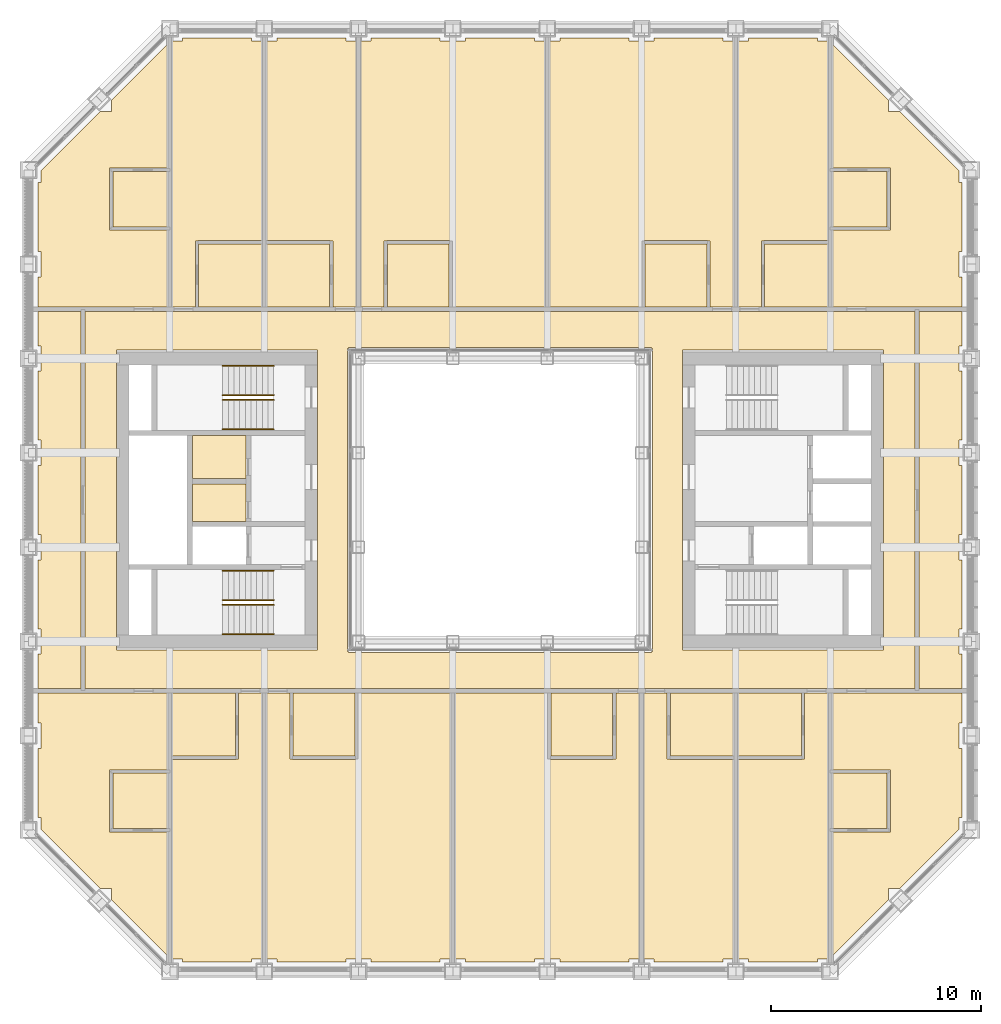
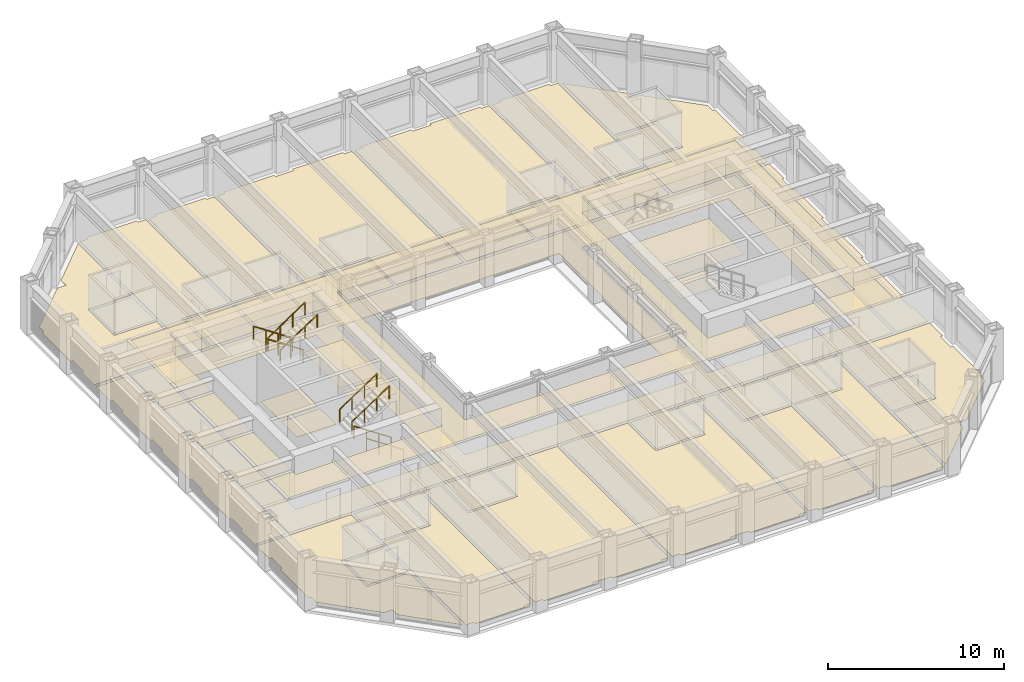
# One storey, part 15 of 17: 8 railings, 5 coverings.
"""IFC4 building model written with IfcOpenShell, lengths in metres."""

from ifc_helpers import new_model, si_unit, direction, frame, origin, origin_2d, place, context, subcontext, project, spatial, line, indexed_curve, circle, outline, extrude, material, layer, layer_set, type_object, element, save


model = new_model("IFC4")

# Units and contexts
model_context = context("Model", 3, precision=1e-05, world=origin(), true_north=direction((0.0, 1.0)))
body_context = subcontext(model_context, "Body", "Model", "MODEL_VIEW")
ifc_project = project(units=[si_unit("LENGTHUNIT", "METRE"), si_unit("AREAUNIT", "SQUARE_METRE"), si_unit("VOLUMEUNIT", "CUBIC_METRE"), si_unit("PLANEANGLEUNIT", "RADIAN"), si_unit("MASSUNIT", "GRAM", prefix="KILO")], contexts=[model_context])

# Site, building, storey
site_placement = place(None, origin())
site = spatial("IfcSite", under=ifc_project, at=site_placement, CompositionType="ELEMENT")
building_placement = place(site_placement, origin())
building = spatial("IfcBuilding", under=site, at=building_placement, Name="Msasa Ring Tower", CompositionType="ELEMENT")
storey_placement = place(building_placement, frame((0.0, 0.0, 132.800048828125)))
storey = spatial("IfcBuildingStorey", under=building, at=storey_placement, Name="L34", CompositionType="ELEMENT", Elevation=132.800048828125)

# Coverings
ifc_material_1 = material(Name="Gypsum plasterboard on a steel suspension grid", Category="steel")
ifc_layer_1 = layer(ifc_material_1, 0.014892578125)
ifc_layer_set_1 = layer_set([ifc_layer_1], Name="C1 SUSPENDED PLASTERBOARD CEILING 15")
covering_type_1 = type_object("IfcCoveringType", Name="C1 SUSPENDED PLASTERBOARD CEILING 15", PredefinedType="CEILING", material=ifc_layer_set_1)
covering_1_placement = place(storey_placement, frame((0.0, 0.0, 2.39990234375)))
element("IfcCovering", 1, at=covering_1_placement, inside=storey, type_object=covering_type_1, Name="Suspended Plasterboard Ceiling 15 circulation L34", PredefinedType="CEILING", context=body_context, shape_type="SweptSolid", body=[
    extrude(outline(indexed_curve([(19.799560546875, 8.99951171875), (19.799560546875, -8.99951171875), (-19.799560546875, -8.99951171875), (-19.799560546875, 8.99951171875)], segments=[line(1, 2, 3, 4, 1)], self_intersect=False), holes=[indexed_curve([(18.300537109375, -7.150390625), (18.300537109375, 7.150390625), (8.699462890625, 7.150390625), (8.699462890625, -7.150390625)], segments=[line(1, 2, 3, 4, 1)], self_intersect=False), indexed_curve([(-8.699462890625, -7.150390625), (-8.699462890625, 7.150390625), (-18.300537109375, 7.150390625), (-18.300537109375, -7.150390625)], segments=[line(1, 2, 3, 4, 1)], self_intersect=False), indexed_curve([(-7.280517578125, 7.23046875), (-7.280517578125, -7.23046875), (-7.22998046875, -7.23046875), (-7.22998046875, -7.280029296875), (7.22998046875, -7.280029296875), (7.22998046875, -7.23046875), (7.280517578125, -7.23046875), (7.280517578125, 7.23046875), (7.22998046875, 7.23046875), (7.22998046875, 7.280029296875), (-7.22998046875, 7.280029296875), (-7.22998046875, 7.23046875)], segments=[line(1, 2, 3, 4, 5, 6, 7, 8, 9, 10, 11, 12, 1)], self_intersect=False)]), origin(), (0.0, 0.0, 1.0), 0.01513671875),
    extrude(outline(indexed_curve([(-9.300537109375, -3.074462890625), (-11.87451171875, -3.074462890625), (-11.87451171875, -1.275390625), (-9.300537109375, -1.275390625)], segments=[line(1, 2, 3, 4, 1)], self_intersect=False)), origin(), (0.0, 0.0, 1.0), 0.01513671875),
    extrude(outline(indexed_curve([(-11.87451171875, -1.0244140625), (-11.87451171875, 3.074462890625), (-9.300537109375, 3.074462890625), (-9.300537109375, -1.0244140625)], segments=[line(1, 2, 3, 4, 1)], self_intersect=False)), origin(), (0.0, 0.0, 1.0), 0.01513671875),
    extrude(outline(indexed_curve([(11.87451171875, -3.074462890625), (9.300537109375, -3.074462890625), (9.300537109375, -1.275390625), (11.87451171875, -1.275390625)], segments=[line(1, 2, 3, 4, 1)], self_intersect=False)), origin(), (0.0, 0.0, 1.0), 0.01513671875),
    extrude(outline(indexed_curve([(9.300537109375, -1.0244140625), (9.300537109375, 3.074462890625), (14.674560546875, 3.074462890625), (14.674560546875, -1.0244140625)], segments=[line(1, 2, 3, 4, 1)], self_intersect=False)), origin(), (0.0, 0.0, 1.0), 0.01513671875),
])
ifc_material_2 = material(Name="Wool-blend carpet on felt underlay", Category="textile")
ifc_layer_2 = layer(ifc_material_2, 0.011962890625)
ifc_layer_set_2 = layer_set([ifc_layer_2], Name="F2 CARPET ON UNDERLAY 12")
covering_type_2 = type_object("IfcCoveringType", Name="F2 CARPET ON UNDERLAY 12", PredefinedType="FLOORING", material=ifc_layer_set_2)
covering_2_placement = place(storey_placement, origin())
element("IfcCovering", 2, at=covering_2_placement, inside=storey, type_object=covering_type_2, Name="Carpet On Underlay 12 L34", PredefinedType="FLOORING", context=body_context, shape_type="SweptSolid", body=[
    extrude(outline(indexed_curve([(19.799560546875, 8.99951171875), (19.799560546875, -8.99951171875), (-19.799560546875, -8.99951171875), (-19.799560546875, 8.99951171875)], segments=[line(1, 2, 3, 4, 1)], self_intersect=False), holes=[indexed_curve([(8.699462890625, -7.150390625), (18.300537109375, -7.150390625), (18.300537109375, 7.150390625), (8.699462890625, 7.150390625)], segments=[line(1, 2, 3, 4, 1)], self_intersect=False), indexed_curve([(-18.300537109375, 7.150390625), (-18.300537109375, -7.150390625), (-8.699462890625, -7.150390625), (-8.699462890625, 7.150390625)], segments=[line(1, 2, 3, 4, 1)], self_intersect=False), indexed_curve([(-7.280517578125, 7.23046875), (-7.280517578125, -7.23046875), (-7.22998046875, -7.23046875), (-7.22998046875, -7.280029296875), (7.22998046875, -7.280029296875), (7.22998046875, -7.23046875), (7.280517578125, -7.23046875), (7.280517578125, 7.23046875), (7.22998046875, 7.23046875), (7.22998046875, 7.280029296875), (-7.22998046875, 7.280029296875), (-7.22998046875, 7.23046875)], segments=[line(1, 2, 3, 4, 5, 6, 7, 8, 9, 10, 11, 12, 1)], self_intersect=False)]), origin(), (0.0, 0.0, 1.0), 0.011962890625),
    extrude(outline(indexed_curve([(-12.60009765625, -12.3505859375), (-12.474609375, -12.35009765625), (-12.474609375, -9.200439453125), (-11.3505859375, -9.200439453125), (-11.3505859375, -21.8994140625), (-11.8505859375, -21.8994140625), (-11.8505859375, -22.049560546875), (-15.1494140625, -22.049560546875), (-15.1494140625, -21.8994140625), (-15.6494140625, -21.8994140625), (-15.6494140625, -12.37548828125), (-12.60009765625, -12.37548828125)], segments=[line(1, 2, 3, 4, 5, 6, 7, 8, 9, 10, 11, 12, 1)], self_intersect=False)), origin(), (0.0, 0.0, 1.0), 0.011962890625),
    extrude(outline(indexed_curve([(-14.39990234375, 12.3505859375), (-14.525390625, 12.35009765625), (-14.525390625, 9.200439453125), (-15.6494140625, 9.200439453125), (-15.6494140625, 21.8994140625), (-15.1494140625, 21.8994140625), (-15.1494140625, 22.049560546875), (-11.8505859375, 22.049560546875), (-11.8505859375, 21.8994140625), (-11.3505859375, 21.8994140625), (-11.3505859375, 12.37548828125), (-14.39990234375, 12.37548828125)], segments=[line(1, 2, 3, 4, 5, 6, 7, 8, 9, 10, 11, 12, 1)], self_intersect=False)), origin(), (0.0, 0.0, 1.0), 0.011962890625),
    extrude(outline(indexed_curve([(-7.3505859375, 22.049560546875), (-7.3505859375, 21.8994140625), (-6.8505859375, 21.8994140625), (-6.8505859375, 9.200439453125), (-7.974609375, 9.200439453125), (-7.974609375, 12.35009765625), (-8.10009765625, 12.3505859375), (-8.10009765625, 12.37548828125), (-11.1494140625, 12.37548828125), (-11.1494140625, 21.8994140625), (-10.6494140625, 21.8994140625), (-10.6494140625, 22.049560546875)], segments=[line(1, 2, 3, 4, 5, 6, 7, 8, 9, 10, 11, 12, 1)], self_intersect=False)), origin(), (0.0, 0.0, 1.0), 0.011962890625),
    extrude(outline(indexed_curve([(7.3505859375, -22.049560546875), (7.3505859375, -21.8994140625), (6.8505859375, -21.8994140625), (6.8505859375, -9.200439453125), (7.974609375, -9.200439453125), (7.974609375, -12.35009765625), (8.10009765625, -12.3505859375), (8.10009765625, -12.37548828125), (11.1494140625, -12.37548828125), (11.1494140625, -21.8994140625), (10.6494140625, -21.8994140625), (10.6494140625, -22.049560546875)], segments=[line(1, 2, 3, 4, 5, 6, 7, 8, 9, 10, 11, 12, 1)], self_intersect=False)), origin(), (0.0, 0.0, 1.0), 0.011962890625),
    extrude(outline(indexed_curve([(14.39990234375, -12.3505859375), (14.525390625, -12.35009765625), (14.525390625, -9.200439453125), (15.6494140625, -9.200439453125), (15.6494140625, -21.8994140625), (15.1494140625, -21.8994140625), (15.1494140625, -22.049560546875), (11.8505859375, -22.049560546875), (11.8505859375, -21.8994140625), (11.3505859375, -21.8994140625), (11.3505859375, -12.37548828125), (14.39990234375, -12.37548828125)], segments=[line(1, 2, 3, 4, 5, 6, 7, 8, 9, 10, 11, 12, 1)], self_intersect=False)), origin(), (0.0, 0.0, 1.0), 0.011962890625),
    extrude(outline(indexed_curve([(12.60009765625, 12.3505859375), (12.474609375, 12.35009765625), (12.474609375, 9.200439453125), (11.3505859375, 9.200439453125), (11.3505859375, 21.8994140625), (11.8505859375, 21.8994140625), (11.8505859375, 22.049560546875), (15.1494140625, 22.049560546875), (15.1494140625, 21.8994140625), (15.6494140625, 21.8994140625), (15.6494140625, 12.37548828125), (12.60009765625, 12.37548828125)], segments=[line(1, 2, 3, 4, 5, 6, 7, 8, 9, 10, 11, 12, 1)], self_intersect=False)), origin(), (0.0, 0.0, 1.0), 0.011962890625),
])
ifc_material_3 = material(Name="Engineered oak boards on an acoustic underlay", Category="wood")
ifc_layer_3 = layer(ifc_material_3, 0.01806640625)
ifc_layer_set_3 = layer_set([ifc_layer_3], Name="F3 ENGINEERED TIMBER ON ACOUSTIC UNDERLAY 18")
covering_type_3 = type_object("IfcCoveringType", Name="F3 ENGINEERED TIMBER ON ACOUSTIC UNDERLAY 18", PredefinedType="FLOORING", material=ifc_layer_set_3)
covering_3_placement = place(storey_placement, origin())
element("IfcCovering", 3, at=covering_3_placement, inside=storey, type_object=covering_type_3, Name="Engineered Timber On Acoustic Underlay 18 L34", PredefinedType="FLOORING", context=body_context, shape_type="SweptSolid", body=[
    extrude(outline(indexed_curve([(-15.8505859375, -21.762451171875), (-18.5244140625, -19.08837890625), (-18.5244140625, -18.5244140625), (-19.08837890625, -18.5244140625), (-21.8994140625, -15.71337890625), (-21.8994140625, -15.1494140625), (-22.049560546875, -15.1494140625), (-22.049560546875, -11.8505859375), (-21.8994140625, -11.8505859375), (-21.8994140625, -10.6494140625), (-22.049560546875, -10.6494140625), (-22.049560546875, -9.200439453125), (-15.8505859375, -9.200439453125), (-15.8505859375, -12.869384765625), (-18.630615234375, -12.869384765625), (-18.630615234375, -15.83056640625), (-15.8505859375, -15.83056640625)], segments=[line(1, 2, 3, 4, 5, 6, 7, 8, 9, 10, 11, 12, 13, 14, 15, 16, 17, 1)], self_intersect=False)), origin(), (0.0, 0.0, 1.0), 0.01806640625),
    extrude(outline(indexed_curve([(-18.630615234375, 12.869384765625), (-15.8505859375, 12.869384765625), (-15.8505859375, 9.200439453125), (-22.049560546875, 9.200439453125), (-22.049560546875, 10.6494140625), (-21.8994140625, 10.6494140625), (-21.8994140625, 11.8505859375), (-22.049560546875, 11.8505859375), (-22.049560546875, 15.1494140625), (-21.8994140625, 15.1494140625), (-21.8994140625, 15.71337890625), (-19.08837890625, 18.5244140625), (-18.5244140625, 18.5244140625), (-18.5244140625, 19.08837890625), (-15.8505859375, 21.762451171875), (-15.8505859375, 15.83056640625), (-18.630615234375, 15.83056640625)], segments=[line(1, 2, 3, 4, 5, 6, 7, 8, 9, 10, 11, 12, 13, 14, 15, 16, 17, 1)], self_intersect=False)), origin(), (0.0, 0.0, 1.0), 0.01806640625),
    extrude(outline(indexed_curve([(-9.89990234375, -12.3505859375), (-9.89990234375, -12.37548828125), (-6.89990234375, -12.37548828125), (-6.89990234375, -12.3505859375), (-6.7744140625, -12.35009765625), (-6.7744140625, -9.200439453125), (-2.3505859375, -9.200439453125), (-2.3505859375, -21.8994140625), (-2.8505859375, -21.8994140625), (-2.8505859375, -22.049560546875), (-6.1494140625, -22.049560546875), (-6.1494140625, -21.8994140625), (-7.3505859375, -21.8994140625), (-7.3505859375, -22.049560546875), (-10.6494140625, -22.049560546875), (-10.6494140625, -21.8994140625), (-11.1494140625, -21.8994140625), (-11.1494140625, -9.200439453125), (-10.025390625, -9.200439453125), (-10.025390625, -12.35009765625)], segments=[line(1, 2, 3, 4, 5, 6, 7, 8, 9, 10, 11, 12, 13, 14, 15, 16, 17, 18, 19, 20, 1)], self_intersect=False)), origin(), (0.0, 0.0, 1.0), 0.01806640625),
    extrude(outline(indexed_curve([(-2.39990234375, 12.3505859375), (-2.39990234375, 12.37548828125), (-5.39990234375, 12.37548828125), (-5.39990234375, 12.3505859375), (-5.525390625, 12.35009765625), (-5.525390625, 9.200439453125), (-6.6494140625, 9.200439453125), (-6.6494140625, 21.8994140625), (-6.1494140625, 21.8994140625), (-6.1494140625, 22.049560546875), (-2.8505859375, 22.049560546875), (-2.8505859375, 21.8994140625), (-1.6494140625, 21.8994140625), (-1.6494140625, 22.049560546875), (1.6494140625, 22.049560546875), (1.6494140625, 21.8994140625), (2.1494140625, 21.8994140625), (2.1494140625, 9.200439453125), (-2.2744140625, 9.200439453125), (-2.2744140625, 12.35009765625)], segments=[line(1, 2, 3, 4, 5, 6, 7, 8, 9, 10, 11, 12, 13, 14, 15, 16, 17, 18, 19, 20, 1)], self_intersect=False)), origin(), (0.0, 0.0, 1.0), 0.01806640625),
    extrude(outline(indexed_curve([(2.39990234375, -12.3505859375), (2.39990234375, -12.37548828125), (5.39990234375, -12.37548828125), (5.39990234375, -12.3505859375), (5.525390625, -12.35009765625), (5.525390625, -9.200439453125), (6.6494140625, -9.200439453125), (6.6494140625, -21.8994140625), (6.1494140625, -21.8994140625), (6.1494140625, -22.049560546875), (2.8505859375, -22.049560546875), (2.8505859375, -21.8994140625), (1.6494140625, -21.8994140625), (1.6494140625, -22.049560546875), (-1.6494140625, -22.049560546875), (-1.6494140625, -21.8994140625), (-2.1494140625, -21.8994140625), (-2.1494140625, -9.200439453125), (2.2744140625, -9.200439453125), (2.2744140625, -12.35009765625)], segments=[line(1, 2, 3, 4, 5, 6, 7, 8, 9, 10, 11, 12, 13, 14, 15, 16, 17, 18, 19, 20, 1)], self_intersect=False)), origin(), (0.0, 0.0, 1.0), 0.01806640625),
    extrude(outline(indexed_curve([(9.89990234375, 12.3505859375), (9.89990234375, 12.37548828125), (6.89990234375, 12.37548828125), (6.89990234375, 12.3505859375), (6.7744140625, 12.35009765625), (6.7744140625, 9.200439453125), (2.3505859375, 9.200439453125), (2.3505859375, 21.8994140625), (2.8505859375, 21.8994140625), (2.8505859375, 22.049560546875), (6.1494140625, 22.049560546875), (6.1494140625, 21.8994140625), (7.3505859375, 21.8994140625), (7.3505859375, 22.049560546875), (10.6494140625, 22.049560546875), (10.6494140625, 21.8994140625), (11.1494140625, 21.8994140625), (11.1494140625, 9.200439453125), (10.025390625, 9.200439453125), (10.025390625, 12.35009765625)], segments=[line(1, 2, 3, 4, 5, 6, 7, 8, 9, 10, 11, 12, 13, 14, 15, 16, 17, 18, 19, 20, 1)], self_intersect=False)), origin(), (0.0, 0.0, 1.0), 0.01806640625),
    extrude(outline(indexed_curve([(18.630615234375, -12.869384765625), (15.8505859375, -12.869384765625), (15.8505859375, -9.200439453125), (22.049560546875, -9.200439453125), (22.049560546875, -10.6494140625), (21.8994140625, -10.6494140625), (21.8994140625, -11.8505859375), (22.049560546875, -11.8505859375), (22.049560546875, -15.1494140625), (21.8994140625, -15.1494140625), (21.8994140625, -15.71337890625), (19.08837890625, -18.5244140625), (18.5244140625, -18.5244140625), (18.5244140625, -19.08837890625), (15.8505859375, -21.762451171875), (15.8505859375, -15.83056640625), (18.630615234375, -15.83056640625)], segments=[line(1, 2, 3, 4, 5, 6, 7, 8, 9, 10, 11, 12, 13, 14, 15, 16, 17, 1)], self_intersect=False)), origin(), (0.0, 0.0, 1.0), 0.01806640625),
    extrude(outline(indexed_curve([(15.8505859375, 21.762451171875), (18.5244140625, 19.08837890625), (18.5244140625, 18.5244140625), (19.08837890625, 18.5244140625), (21.8994140625, 15.71337890625), (21.8994140625, 15.1494140625), (22.049560546875, 15.1494140625), (22.049560546875, 11.8505859375), (21.8994140625, 11.8505859375), (21.8994140625, 10.6494140625), (22.049560546875, 10.6494140625), (22.049560546875, 9.200439453125), (15.8505859375, 9.200439453125), (15.8505859375, 12.869384765625), (18.630615234375, 12.869384765625), (18.630615234375, 15.83056640625), (15.8505859375, 15.83056640625)], segments=[line(1, 2, 3, 4, 5, 6, 7, 8, 9, 10, 11, 12, 13, 14, 15, 16, 17, 1)], self_intersect=False)), origin(), (0.0, 0.0, 1.0), 0.01806640625),
])
ifc_material_4 = material(Name="Porcelain floor tiles in adhesive", Category="ceramic")
ifc_layer_4 = layer(ifc_material_4, 0.010009765625)
ifc_layer_set_4 = layer_set([ifc_layer_4], Name="F4 PORCELAIN TILE ON ADHESIVE 10")
covering_type_4 = type_object("IfcCoveringType", Name="F4 PORCELAIN TILE ON ADHESIVE 10", PredefinedType="FLOORING", material=ifc_layer_set_4)
covering_4_placement = place(storey_placement, origin())
element("IfcCovering", 4, at=covering_4_placement, inside=storey, type_object=covering_type_4, Name="Porcelain Tile On Adhesive 10 L34", PredefinedType="FLOORING", context=body_context, shape_type="SweptSolid", body=[
    extrude(outline(indexed_curve([(-18.469482421875, -13.030517578125), (-15.8505859375, -13.030517578125), (-15.8505859375, -15.66943359375), (-18.469482421875, -15.66943359375)], segments=[line(1, 2, 3, 4, 1)], self_intersect=False)), origin(), (0.0, 0.0, 1.0), 0.010009765625),
    extrude(outline(indexed_curve([(-15.8505859375, 15.66943359375), (-15.8505859375, 13.030517578125), (-18.469482421875, 13.030517578125), (-18.469482421875, 15.66943359375)], segments=[line(1, 2, 3, 4, 1)], self_intersect=False)), origin(), (0.0, 0.0, 1.0), 0.010009765625),
    extrude(outline(indexed_curve([(-12.62548828125, -9.200439453125), (-12.62548828125, -12.224609375), (-15.6494140625, -12.224609375), (-15.6494140625, -9.200439453125)], segments=[line(1, 2, 3, 4, 1)], self_intersect=False)), origin(), (0.0, 0.0, 1.0), 0.010009765625),
    extrude(outline(indexed_curve([(-12.12548828125, -1.0244140625), (-14.674560546875, -1.0244140625), (-14.674560546875, 0.7744140625), (-12.12548828125, 0.7744140625)], segments=[line(1, 2, 3, 4, 1)], self_intersect=False)), origin(), (0.0, 0.0, 1.0), 0.010009765625),
    extrude(outline(indexed_curve([(-11.3505859375, 9.200439453125), (-14.37451171875, 9.200439453125), (-14.37451171875, 12.224609375), (-11.3505859375, 12.224609375)], segments=[line(1, 2, 3, 4, 1)], self_intersect=False)), origin(), (0.0, 0.0, 1.0), 0.010009765625),
    extrude(outline(indexed_curve([(-11.1494140625, 9.200439453125), (-11.1494140625, 12.224609375), (-8.12548828125, 12.224609375), (-8.12548828125, 9.200439453125)], segments=[line(1, 2, 3, 4, 1)], self_intersect=False)), origin(), (0.0, 0.0, 1.0), 0.010009765625),
    extrude(outline(indexed_curve([(-6.925537109375, -9.200439453125), (-6.925537109375, -12.224609375), (-9.87451171875, -12.224609375), (-9.87451171875, -9.200439453125)], segments=[line(1, 2, 3, 4, 1)], self_intersect=False)), origin(), (0.0, 0.0, 1.0), 0.010009765625),
    extrude(outline(indexed_curve([(-5.37451171875, 9.200439453125), (-5.37451171875, 12.224609375), (-2.425537109375, 12.224609375), (-2.425537109375, 9.200439453125)], segments=[line(1, 2, 3, 4, 1)], self_intersect=False)), origin(), (0.0, 0.0, 1.0), 0.010009765625),
    extrude(outline(indexed_curve([(5.37451171875, -9.200439453125), (5.37451171875, -12.224609375), (2.425537109375, -12.224609375), (2.425537109375, -9.200439453125)], segments=[line(1, 2, 3, 4, 1)], self_intersect=False)), origin(), (0.0, 0.0, 1.0), 0.010009765625),
    extrude(outline(indexed_curve([(6.925537109375, 9.200439453125), (6.925537109375, 12.224609375), (9.87451171875, 12.224609375), (9.87451171875, 9.200439453125)], segments=[line(1, 2, 3, 4, 1)], self_intersect=False)), origin(), (0.0, 0.0, 1.0), 0.010009765625),
    extrude(outline(indexed_curve([(11.1494140625, -9.200439453125), (11.1494140625, -12.224609375), (8.12548828125, -12.224609375), (8.12548828125, -9.200439453125)], segments=[line(1, 2, 3, 4, 1)], self_intersect=False)), origin(), (0.0, 0.0, 1.0), 0.010009765625),
    extrude(outline(indexed_curve([(14.37451171875, -9.200439453125), (14.37451171875, -12.224609375), (11.3505859375, -12.224609375), (11.3505859375, -9.200439453125)], segments=[line(1, 2, 3, 4, 1)], self_intersect=False)), origin(), (0.0, 0.0, 1.0), 0.010009765625),
    extrude(outline(indexed_curve([(15.6494140625, 9.200439453125), (12.62548828125, 9.200439453125), (12.62548828125, 12.224609375), (15.6494140625, 12.224609375)], segments=[line(1, 2, 3, 4, 1)], self_intersect=False)), origin(), (0.0, 0.0, 1.0), 0.010009765625),
    extrude(outline(indexed_curve([(18.469482421875, -13.030517578125), (18.469482421875, -15.66943359375), (15.8505859375, -15.66943359375), (15.8505859375, -13.030517578125)], segments=[line(1, 2, 3, 4, 1)], self_intersect=False)), origin(), (0.0, 0.0, 1.0), 0.010009765625),
    extrude(outline(indexed_curve([(18.469482421875, 15.66943359375), (18.469482421875, 13.030517578125), (15.8505859375, 13.030517578125), (15.8505859375, 15.66943359375)], segments=[line(1, 2, 3, 4, 1)], self_intersect=False)), origin(), (0.0, 0.0, 1.0), 0.010009765625),
])
ifc_material_5 = material(Name="Welded vinyl safety sheet flooring", Category="vinyl")
ifc_layer_5 = layer(ifc_material_5, 0.0029296875)
ifc_layer_set_5 = layer_set([ifc_layer_5], Name="F5 RESILIENT SHEET FLOORING 3")
covering_type_5 = type_object("IfcCoveringType", Name="F5 RESILIENT SHEET FLOORING 3", PredefinedType="FLOORING", material=ifc_layer_set_5)
covering_5_placement = place(storey_placement, origin())
element("IfcCovering", 5, at=covering_5_placement, inside=storey, type_object=covering_type_5, Name="Resilient Sheet Flooring 3 L34", PredefinedType="FLOORING", context=body_context, shape_type="SweptSolid", body=[
    extrude(outline(indexed_curve([(-22.049560546875, -7.3505859375), (-21.8994140625, -7.3505859375), (-21.8994140625, -6.1494140625), (-22.049560546875, -6.1494140625), (-22.049560546875, -2.8505859375), (-21.8994140625, -2.8505859375), (-21.8994140625, -1.6494140625), (-22.049560546875, -1.6494140625), (-22.049560546875, 1.6494140625), (-21.8994140625, 1.6494140625), (-21.8994140625, 2.8505859375), (-22.049560546875, 2.8505859375), (-22.049560546875, 6.1494140625), (-21.8994140625, 6.1494140625), (-21.8994140625, 7.3505859375), (-22.049560546875, 7.3505859375), (-22.049560546875, 8.99951171875), (-20.00048828125, 8.99951171875), (-20.00048828125, -8.99951171875), (-22.049560546875, -8.99951171875)], segments=[line(1, 2, 3, 4, 5, 6, 7, 8, 9, 10, 11, 12, 13, 14, 15, 16, 17, 18, 19, 20, 1)], self_intersect=False)), origin(), (0.0, 0.0, 1.0), 0.0029296875),
    extrude(outline(indexed_curve([(-14.674560546875, 3.074462890625), (-12.12548828125, 3.074462890625), (-12.12548828125, 1.025390625), (-14.674560546875, 1.025390625)], segments=[line(1, 2, 3, 4, 1)], self_intersect=False)), origin(), (0.0, 0.0, 1.0), 0.0029296875),
    extrude(outline(indexed_curve([(22.049560546875, 7.3505859375), (21.8994140625, 7.3505859375), (21.8994140625, 6.1494140625), (22.049560546875, 6.1494140625), (22.049560546875, 2.8505859375), (21.8994140625, 2.8505859375), (21.8994140625, 1.6494140625), (22.049560546875, 1.6494140625), (22.049560546875, -1.6494140625), (21.8994140625, -1.6494140625), (21.8994140625, -2.8505859375), (22.049560546875, -2.8505859375), (22.049560546875, -6.1494140625), (21.8994140625, -6.1494140625), (21.8994140625, -7.3505859375), (22.049560546875, -7.3505859375), (22.049560546875, -8.99951171875), (20.00048828125, -8.99951171875), (20.00048828125, 8.99951171875), (22.049560546875, 8.99951171875)], segments=[line(1, 2, 3, 4, 5, 6, 7, 8, 9, 10, 11, 12, 13, 14, 15, 16, 17, 18, 19, 20, 1)], self_intersect=False)), origin(), (0.0, 0.0, 1.0), 0.0029296875),
])

# Railings
ifc_material_6 = material(Name="Stainless steel", Category="steel")
railing_type = type_object("IfcRailingType", Name="HR1 HANDRAIL 900", PredefinedType="HANDRAIL", material=ifc_material_6)
for number, where, name in (
    (6, (-10.800048828125, -6.39990234375, 0.179931640625), "Handrail stair SWA L34 1"),
    (7, (-10.800048828125, -5.0, 0.179931640625), "Handrail stair SWA L34 2"),
):
    element("IfcRailing", number, at=place(storey_placement, frame(where)), inside=storey, type_object=railing_type, Name=name, PredefinedType="HANDRAIL", context=body_context, shape_type="SweptSolid", body=[
        extrude(circle(Radius=0.02392578125, at=origin_2d()), frame((0.0, 0.0, 0.8759765625), z_axis=(-0.832024571796, 0.0, 0.554738778101), x_axis=(0.0, -1.0, 0.0)), (0.0, 0.0, 1.0), 2.92041015625),
        extrude(circle(Radius=0.02099609375, at=origin_2d()), origin(), (0.0, 0.0, 1.0), 0.851806640625),
        extrude(circle(Radius=0.02099609375, at=origin_2d()), frame((-0.81005859375, 0.0, 0.5400390625)), (0.0, 0.0, 1.0), 0.851806640625),
        extrude(circle(Radius=0.02099609375, at=origin_2d()), frame((-1.619873046875, 0.0, 1.080078125)), (0.0, 0.0, 1.0), 0.851806640625),
        extrude(circle(Radius=0.02099609375, at=origin_2d()), frame((-2.429931640625, 0.0, 1.6201171875)), (0.0, 0.0, 1.0), 0.851806640625),
    ])
for number, where, name in (
    (8, (-13.22998046875, -4.77490234375, 1.97998046875), "Handrail stair SWA L34 3"),
    (9, (-13.22998046875, -3.375, 1.97998046875), "Handrail stair SWA L34 4"),
):
    element("IfcRailing", number, at=place(storey_placement, frame(where)), inside=storey, type_object=railing_type, Name=name, PredefinedType="HANDRAIL", context=body_context, shape_type="SweptSolid", body=[
        extrude(circle(Radius=0.02392578125, at=origin_2d()), frame((0.0, 0.0, 0.8759765625), z_axis=(0.832063155534, 0.0, 0.554680903946), x_axis=(0.0, 1.0, 0.0)), (0.0, 0.0, 1.0), 2.92041015625),
        extrude(circle(Radius=0.02099609375, at=origin_2d()), origin(), (0.0, 0.0, 1.0), 0.851806640625),
        extrude(circle(Radius=0.02099609375, at=origin_2d()), frame((0.81005859375, 0.0, 0.5400390625)), (0.0, 0.0, 1.0), 0.851806640625),
        extrude(circle(Radius=0.02099609375, at=origin_2d()), frame((1.619873046875, 0.0, 1.079833984375)), (0.0, 0.0, 1.0), 0.851806640625),
        extrude(circle(Radius=0.02099609375, at=origin_2d()), frame((2.429931640625, 0.0, 1.619873046875)), (0.0, 0.0, 1.0), 0.851806640625),
    ])
for number, where, name in (
    (10, (-10.800048828125, 5.0, 0.179931640625), "Handrail stair SWB L34 1"),
    (11, (-10.800048828125, 6.39990234375, 0.179931640625), "Handrail stair SWB L34 2"),
):
    element("IfcRailing", number, at=place(storey_placement, frame(where)), inside=storey, type_object=railing_type, Name=name, PredefinedType="HANDRAIL", context=body_context, shape_type="SweptSolid", body=[
        extrude(circle(Radius=0.02392578125, at=origin_2d()), frame((0.0, 0.0, 0.8759765625), z_axis=(-0.832024571796, 0.0, 0.554738778101), x_axis=(0.0, -1.0, 0.0)), (0.0, 0.0, 1.0), 2.92041015625),
        extrude(circle(Radius=0.02099609375, at=origin_2d()), origin(), (0.0, 0.0, 1.0), 0.851806640625),
        extrude(circle(Radius=0.02099609375, at=origin_2d()), frame((-0.81005859375, 0.0, 0.5400390625)), (0.0, 0.0, 1.0), 0.851806640625),
        extrude(circle(Radius=0.02099609375, at=origin_2d()), frame((-1.619873046875, 0.0, 1.080078125)), (0.0, 0.0, 1.0), 0.851806640625),
        extrude(circle(Radius=0.02099609375, at=origin_2d()), frame((-2.429931640625, 0.0, 1.6201171875)), (0.0, 0.0, 1.0), 0.851806640625),
    ])
for number, where, name in (
    (12, (-13.22998046875, 3.375, 1.97998046875), "Handrail stair SWB L34 3"),
    (13, (-13.22998046875, 4.77490234375, 1.97998046875), "Handrail stair SWB L34 4"),
):
    element("IfcRailing", number, at=place(storey_placement, frame(where)), inside=storey, type_object=railing_type, Name=name, PredefinedType="HANDRAIL", context=body_context, shape_type="SweptSolid", body=[
        extrude(circle(Radius=0.02392578125, at=origin_2d()), frame((0.0, 0.0, 0.8759765625), z_axis=(0.832063155534, 0.0, 0.554680903946), x_axis=(0.0, 1.0, 0.0)), (0.0, 0.0, 1.0), 2.92041015625),
        extrude(circle(Radius=0.02099609375, at=origin_2d()), origin(), (0.0, 0.0, 1.0), 0.851806640625),
        extrude(circle(Radius=0.02099609375, at=origin_2d()), frame((0.81005859375, 0.0, 0.5400390625)), (0.0, 0.0, 1.0), 0.851806640625),
        extrude(circle(Radius=0.02099609375, at=origin_2d()), frame((1.619873046875, 0.0, 1.079833984375)), (0.0, 0.0, 1.0), 0.851806640625),
        extrude(circle(Radius=0.02099609375, at=origin_2d()), frame((2.429931640625, 0.0, 1.619873046875)), (0.0, 0.0, 1.0), 0.851806640625),
    ])

save(model, "model.ifc")
